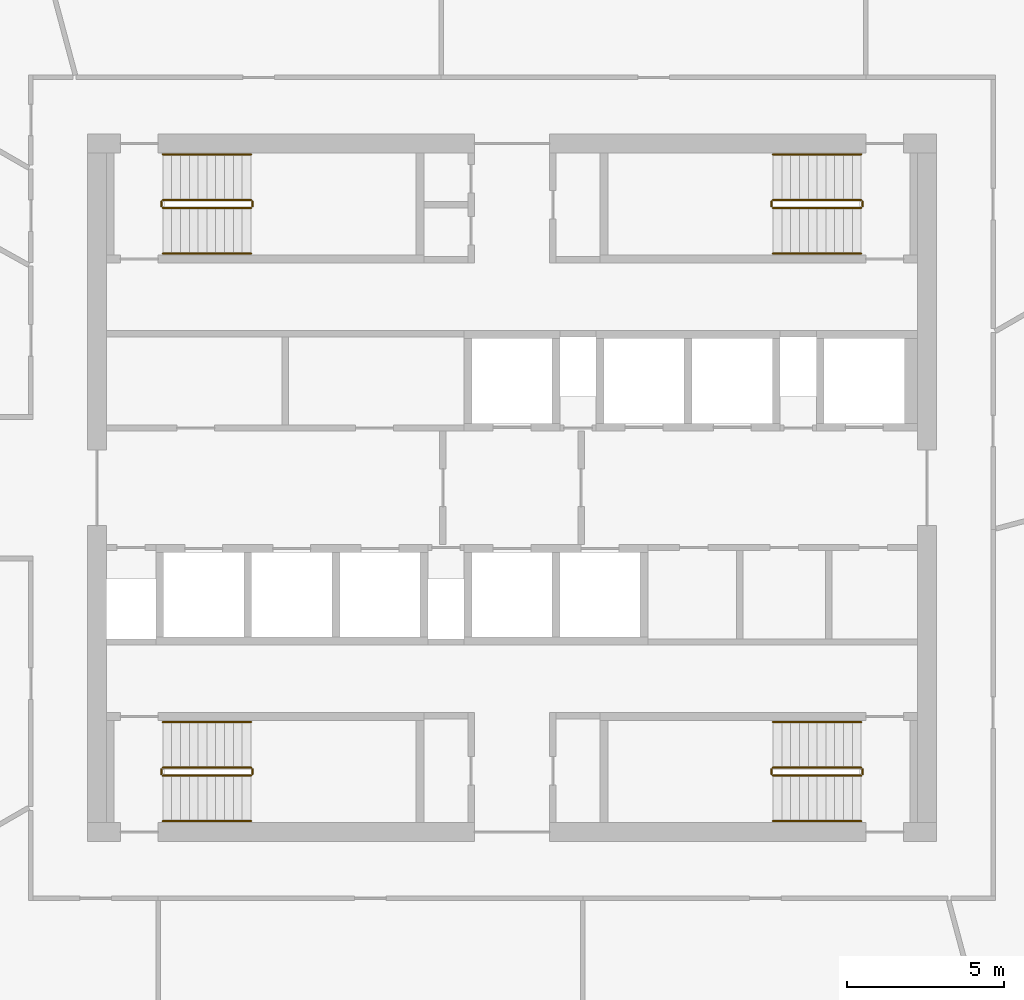
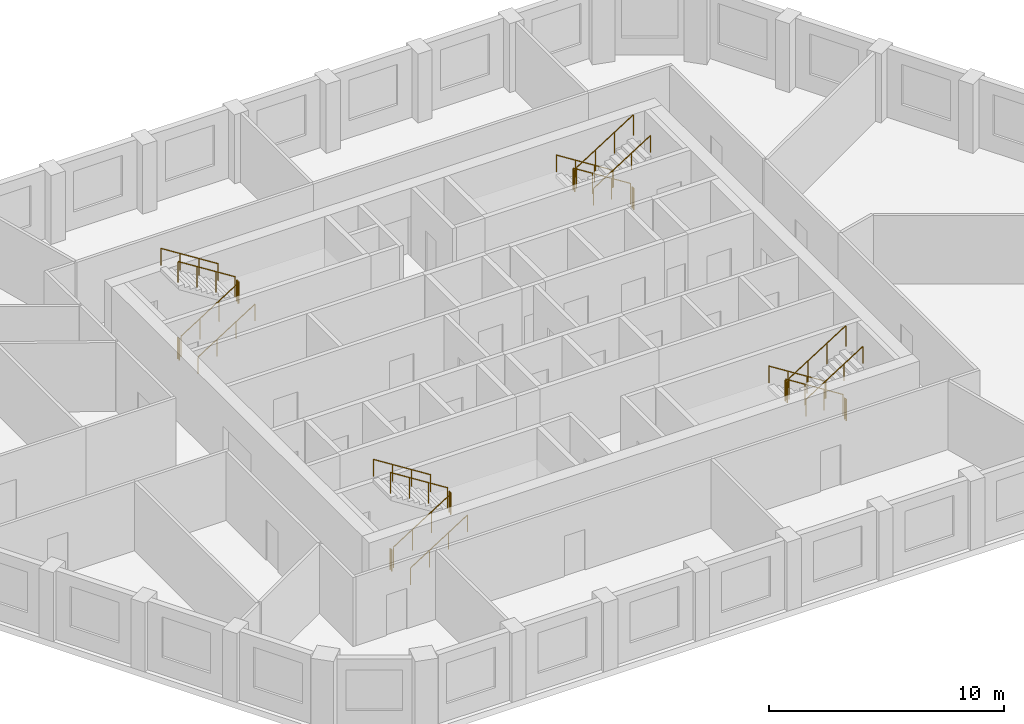
# One storey, part 7 of 7: 24 railings.
"""IFC4 building model written with IfcOpenShell, lengths in metres."""

from ifc_helpers import new_model, si_unit, direction, frame, origin, origin_2d, place, context, subcontext, project, spatial, circle, extrude, material, type_object, element, save


model = new_model("IFC4")

# Units and contexts
model_context = context("Model", 3, precision=1e-05, world=origin(), true_north=direction((0.0, 1.0)))
body_context = subcontext(model_context, "Body", "Model", "MODEL_VIEW")
ifc_project = project(units=[si_unit("LENGTHUNIT", "METRE"), si_unit("AREAUNIT", "SQUARE_METRE"), si_unit("VOLUMEUNIT", "CUBIC_METRE"), si_unit("PLANEANGLEUNIT", "RADIAN"), si_unit("MASSUNIT", "GRAM", prefix="KILO")], contexts=[model_context])

# Site, building, storey
site_placement = place(None, origin())
site = spatial("IfcSite", under=ifc_project, at=site_placement, CompositionType="ELEMENT")
building_placement = place(site_placement, origin())
building = spatial("IfcBuilding", under=site, at=building_placement, Name="Dhurran Vertical Campus", CompositionType="ELEMENT")
storey_placement = place(building_placement, frame((0.0, 0.0, 262.5)))
storey = spatial("IfcBuildingStorey", under=building, at=storey_placement, Name="L65", CompositionType="ELEMENT", Elevation=262.5)

# Railings
ifc_material_1 = material(Name="Stainless steel balustrade", Category="steel")
railing_type_1 = type_object("IfcRailingType", Name="co-RL-GUARD-1100", PredefinedType="GUARDRAIL", material=ifc_material_1)
railing_1_placement = place(storey_placement, frame((-11.10009765625, 8.89990234375, 0.17724609375)))
element("IfcRailing", 1, at=railing_1_placement, inside=storey, type_object=railing_type_1, Name="L65 ST1 stair guard 1", PredefinedType="GUARDRAIL", context=body_context, shape_type="SweptSolid", body=[
    extrude(circle(Radius=0.02392578125, at=origin_2d()), frame((0.0, 0.0, 1.076171875), z_axis=(0.844908973607, 0.0, 0.534910110503), x_axis=(0.0, 1.0, 0.0)), (0.0, 0.0, 1.0), 3.31396484375),
    extrude(circle(Radius=0.02099609375, at=origin_2d()), origin(), (0.0, 0.0, 1.0), 1.052001953125),
    extrude(circle(Radius=0.02099609375, at=origin_2d()), frame((0.933349609375, 0.0, 0.5908203125)), (0.0, 0.0, 1.0), 1.052001953125),
    extrude(circle(Radius=0.02099609375, at=origin_2d()), frame((1.86669921875, 0.0, 1.181884765625)), (0.0, 0.0, 1.0), 1.052001953125),
    extrude(circle(Radius=0.02099609375, at=origin_2d()), frame((2.800048828125, 0.0, 1.772705078125)), (0.0, 0.0, 1.0), 1.052001953125),
])
railing_2_placement = place(storey_placement, frame((-8.25, 8.949951171875, 1.949951171875)))
element("IfcRailing", 2, at=railing_2_placement, inside=storey, type_object=railing_type_1, Name="L65 ST1 stair guard 2", PredefinedType="GUARDRAIL", context=body_context, shape_type="SweptSolid", body=[
    extrude(circle(Radius=0.02392578125, at=origin_2d()), frame((0.0, 0.0, 1.076171875), z_axis=(0.0, 1.0, 0.0), x_axis=(-1.0, 0.0, 0.0)), (0.0, 0.0, 1.0), 0.150146484375),
    extrude(circle(Radius=0.02099609375, at=origin_2d()), origin(), (0.0, 0.0, 1.0), 1.052001953125),
    extrude(circle(Radius=0.02099609375, at=origin_2d()), frame((0.0, 0.150146484375, 0.0)), (0.0, 0.0, 1.0), 1.052001953125),
])
railing_3_placement = place(storey_placement, frame((-8.300048828125, 9.14990234375, 2.127197265625)))
element("IfcRailing", 3, at=railing_3_placement, inside=storey, type_object=railing_type_1, Name="L65 ST1 stair guard 3", PredefinedType="GUARDRAIL", context=body_context, shape_type="SweptSolid", body=[
    extrude(circle(Radius=0.02392578125, at=origin_2d()), frame((0.0, 0.0, 1.076171875), z_axis=(-0.844908973607, 0.0, 0.534910110503), x_axis=(0.0, -1.0, 0.0)), (0.0, 0.0, 1.0), 3.31396484375),
    extrude(circle(Radius=0.02099609375, at=origin_2d()), origin(), (0.0, 0.0, 1.0), 1.052001953125),
    extrude(circle(Radius=0.02099609375, at=origin_2d()), frame((-0.933349609375, 0.0, 0.5908203125)), (0.0, 0.0, 1.0), 1.052001953125),
    extrude(circle(Radius=0.02099609375, at=origin_2d()), frame((-1.86669921875, 0.0, 1.181884765625)), (0.0, 0.0, 1.0), 1.052001953125),
    extrude(circle(Radius=0.02099609375, at=origin_2d()), frame((-2.800048828125, 0.0, 1.772705078125)), (0.0, 0.0, 1.0), 1.052001953125),
])
railing_4_placement = place(storey_placement, frame((-11.14990234375, 8.949951171875, 0.0)))
element("IfcRailing", 4, at=railing_4_placement, inside=storey, type_object=railing_type_1, Name="L65 ST1 stair guard 4", PredefinedType="GUARDRAIL", context=body_context, shape_type="SweptSolid", body=[
    extrude(circle(Radius=0.02392578125, at=origin_2d()), frame((0.0, 0.0, 1.076171875), z_axis=(0.0, 1.0, 0.0), x_axis=(-1.0, 0.0, 0.0)), (0.0, 0.0, 1.0), 0.150146484375),
    extrude(circle(Radius=0.02099609375, at=origin_2d()), origin(), (0.0, 0.0, 1.0), 1.052001953125),
    extrude(circle(Radius=0.02099609375, at=origin_2d()), frame((0.0, 0.150146484375, 0.0)), (0.0, 0.0, 1.0), 1.052001953125),
])
railing_5_placement = place(storey_placement, frame((11.10009765625, 9.14990234375, 0.17724609375)))
element("IfcRailing", 5, at=railing_5_placement, inside=storey, type_object=railing_type_1, Name="L65 ST2 stair guard 1", PredefinedType="GUARDRAIL", context=body_context, shape_type="SweptSolid", body=[
    extrude(circle(Radius=0.02392578125, at=origin_2d()), frame((0.0, 0.0, 1.076171875), z_axis=(-0.844908973607, 0.0, 0.534910110503), x_axis=(0.0, -1.0, 0.0)), (0.0, 0.0, 1.0), 3.31396484375),
    extrude(circle(Radius=0.02099609375, at=origin_2d()), origin(), (0.0, 0.0, 1.0), 1.052001953125),
    extrude(circle(Radius=0.02099609375, at=origin_2d()), frame((-0.933349609375, 0.0, 0.5908203125)), (0.0, 0.0, 1.0), 1.052001953125),
    extrude(circle(Radius=0.02099609375, at=origin_2d()), frame((-1.86669921875, 0.0, 1.181884765625)), (0.0, 0.0, 1.0), 1.052001953125),
    extrude(circle(Radius=0.02099609375, at=origin_2d()), frame((-2.800048828125, 0.0, 1.772705078125)), (0.0, 0.0, 1.0), 1.052001953125),
])
railing_6_placement = place(storey_placement, frame((8.25, 9.10009765625, 1.949951171875)))
element("IfcRailing", 6, at=railing_6_placement, inside=storey, type_object=railing_type_1, Name="L65 ST2 stair guard 2", PredefinedType="GUARDRAIL", context=body_context, shape_type="SweptSolid", body=[
    extrude(circle(Radius=0.02392578125, at=origin_2d()), frame((0.0, 0.0, 1.076171875), z_axis=(0.0, -1.0, 0.0), x_axis=(1.0, 0.0, 0.0)), (0.0, 0.0, 1.0), 0.150146484375),
    extrude(circle(Radius=0.02099609375, at=origin_2d()), origin(), (0.0, 0.0, 1.0), 1.052001953125),
    extrude(circle(Radius=0.02099609375, at=origin_2d()), frame((0.0, -0.150146484375, 0.0)), (0.0, 0.0, 1.0), 1.052001953125),
])
railing_7_placement = place(storey_placement, frame((8.300048828125, 8.89990234375, 2.127197265625)))
element("IfcRailing", 7, at=railing_7_placement, inside=storey, type_object=railing_type_1, Name="L65 ST2 stair guard 3", PredefinedType="GUARDRAIL", context=body_context, shape_type="SweptSolid", body=[
    extrude(circle(Radius=0.02392578125, at=origin_2d()), frame((0.0, 0.0, 1.076171875), z_axis=(0.844908973607, 0.0, 0.534910110503), x_axis=(0.0, 1.0, 0.0)), (0.0, 0.0, 1.0), 3.31396484375),
    extrude(circle(Radius=0.02099609375, at=origin_2d()), origin(), (0.0, 0.0, 1.0), 1.052001953125),
    extrude(circle(Radius=0.02099609375, at=origin_2d()), frame((0.933349609375, 0.0, 0.5908203125)), (0.0, 0.0, 1.0), 1.052001953125),
    extrude(circle(Radius=0.02099609375, at=origin_2d()), frame((1.86669921875, 0.0, 1.181884765625)), (0.0, 0.0, 1.0), 1.052001953125),
    extrude(circle(Radius=0.02099609375, at=origin_2d()), frame((2.800048828125, 0.0, 1.772705078125)), (0.0, 0.0, 1.0), 1.052001953125),
])
railing_8_placement = place(storey_placement, frame((11.14990234375, 9.10009765625, 0.0)))
element("IfcRailing", 8, at=railing_8_placement, inside=storey, type_object=railing_type_1, Name="L65 ST2 stair guard 4", PredefinedType="GUARDRAIL", context=body_context, shape_type="SweptSolid", body=[
    extrude(circle(Radius=0.02392578125, at=origin_2d()), frame((0.0, 0.0, 1.076171875), z_axis=(0.0, -1.0, 0.0), x_axis=(1.0, 0.0, 0.0)), (0.0, 0.0, 1.0), 0.150146484375),
    extrude(circle(Radius=0.02099609375, at=origin_2d()), origin(), (0.0, 0.0, 1.0), 1.052001953125),
    extrude(circle(Radius=0.02099609375, at=origin_2d()), frame((0.0, -0.150146484375, 0.0)), (0.0, 0.0, 1.0), 1.052001953125),
])
railing_9_placement = place(storey_placement, frame((-11.10009765625, -9.14990234375, 0.17724609375)))
element("IfcRailing", 9, at=railing_9_placement, inside=storey, type_object=railing_type_1, Name="L65 ST3 stair guard 1", PredefinedType="GUARDRAIL", context=body_context, shape_type="SweptSolid", body=[
    extrude(circle(Radius=0.02392578125, at=origin_2d()), frame((0.0, 0.0, 1.076171875), z_axis=(0.844908973607, 0.0, 0.534910110503), x_axis=(0.0, 1.0, 0.0)), (0.0, 0.0, 1.0), 3.31396484375),
    extrude(circle(Radius=0.02099609375, at=origin_2d()), origin(), (0.0, 0.0, 1.0), 1.052001953125),
    extrude(circle(Radius=0.02099609375, at=origin_2d()), frame((0.933349609375, 0.0, 0.5908203125)), (0.0, 0.0, 1.0), 1.052001953125),
    extrude(circle(Radius=0.02099609375, at=origin_2d()), frame((1.86669921875, 0.0, 1.181884765625)), (0.0, 0.0, 1.0), 1.052001953125),
    extrude(circle(Radius=0.02099609375, at=origin_2d()), frame((2.800048828125, 0.0, 1.772705078125)), (0.0, 0.0, 1.0), 1.052001953125),
])
railing_10_placement = place(storey_placement, frame((-8.25, -9.10009765625, 1.949951171875)))
element("IfcRailing", 10, at=railing_10_placement, inside=storey, type_object=railing_type_1, Name="L65 ST3 stair guard 2", PredefinedType="GUARDRAIL", context=body_context, shape_type="SweptSolid", body=[
    extrude(circle(Radius=0.02392578125, at=origin_2d()), frame((0.0, 0.0, 1.076171875), z_axis=(0.0, 1.0, 0.0), x_axis=(-1.0, 0.0, 0.0)), (0.0, 0.0, 1.0), 0.150146484375),
    extrude(circle(Radius=0.02099609375, at=origin_2d()), origin(), (0.0, 0.0, 1.0), 1.052001953125),
    extrude(circle(Radius=0.02099609375, at=origin_2d()), frame((0.0, 0.150146484375, 0.0)), (0.0, 0.0, 1.0), 1.052001953125),
])
railing_11_placement = place(storey_placement, frame((-8.300048828125, -8.89990234375, 2.127197265625)))
element("IfcRailing", 11, at=railing_11_placement, inside=storey, type_object=railing_type_1, Name="L65 ST3 stair guard 3", PredefinedType="GUARDRAIL", context=body_context, shape_type="SweptSolid", body=[
    extrude(circle(Radius=0.02392578125, at=origin_2d()), frame((0.0, 0.0, 1.076171875), z_axis=(-0.844908973607, 0.0, 0.534910110503), x_axis=(0.0, -1.0, 0.0)), (0.0, 0.0, 1.0), 3.31396484375),
    extrude(circle(Radius=0.02099609375, at=origin_2d()), origin(), (0.0, 0.0, 1.0), 1.052001953125),
    extrude(circle(Radius=0.02099609375, at=origin_2d()), frame((-0.933349609375, 0.0, 0.5908203125)), (0.0, 0.0, 1.0), 1.052001953125),
    extrude(circle(Radius=0.02099609375, at=origin_2d()), frame((-1.86669921875, 0.0, 1.181884765625)), (0.0, 0.0, 1.0), 1.052001953125),
    extrude(circle(Radius=0.02099609375, at=origin_2d()), frame((-2.800048828125, 0.0, 1.772705078125)), (0.0, 0.0, 1.0), 1.052001953125),
])
railing_12_placement = place(storey_placement, frame((-11.14990234375, -9.10009765625, 0.0)))
element("IfcRailing", 12, at=railing_12_placement, inside=storey, type_object=railing_type_1, Name="L65 ST3 stair guard 4", PredefinedType="GUARDRAIL", context=body_context, shape_type="SweptSolid", body=[
    extrude(circle(Radius=0.02392578125, at=origin_2d()), frame((0.0, 0.0, 1.076171875), z_axis=(0.0, 1.0, 0.0), x_axis=(-1.0, 0.0, 0.0)), (0.0, 0.0, 1.0), 0.150146484375),
    extrude(circle(Radius=0.02099609375, at=origin_2d()), origin(), (0.0, 0.0, 1.0), 1.052001953125),
    extrude(circle(Radius=0.02099609375, at=origin_2d()), frame((0.0, 0.150146484375, 0.0)), (0.0, 0.0, 1.0), 1.052001953125),
])
railing_13_placement = place(storey_placement, frame((11.10009765625, -8.89990234375, 0.17724609375)))
element("IfcRailing", 13, at=railing_13_placement, inside=storey, type_object=railing_type_1, Name="L65 ST4 stair guard 1", PredefinedType="GUARDRAIL", context=body_context, shape_type="SweptSolid", body=[
    extrude(circle(Radius=0.02392578125, at=origin_2d()), frame((0.0, 0.0, 1.076171875), z_axis=(-0.844908973607, 0.0, 0.534910110503), x_axis=(0.0, -1.0, 0.0)), (0.0, 0.0, 1.0), 3.31396484375),
    extrude(circle(Radius=0.02099609375, at=origin_2d()), origin(), (0.0, 0.0, 1.0), 1.052001953125),
    extrude(circle(Radius=0.02099609375, at=origin_2d()), frame((-0.933349609375, 0.0, 0.5908203125)), (0.0, 0.0, 1.0), 1.052001953125),
    extrude(circle(Radius=0.02099609375, at=origin_2d()), frame((-1.86669921875, 0.0, 1.181884765625)), (0.0, 0.0, 1.0), 1.052001953125),
    extrude(circle(Radius=0.02099609375, at=origin_2d()), frame((-2.800048828125, 0.0, 1.772705078125)), (0.0, 0.0, 1.0), 1.052001953125),
])
railing_14_placement = place(storey_placement, frame((8.25, -8.949951171875, 1.949951171875)))
element("IfcRailing", 14, at=railing_14_placement, inside=storey, type_object=railing_type_1, Name="L65 ST4 stair guard 2", PredefinedType="GUARDRAIL", context=body_context, shape_type="SweptSolid", body=[
    extrude(circle(Radius=0.02392578125, at=origin_2d()), frame((0.0, 0.0, 1.076171875), z_axis=(0.0, -1.0, 0.0), x_axis=(1.0, 0.0, 0.0)), (0.0, 0.0, 1.0), 0.150146484375),
    extrude(circle(Radius=0.02099609375, at=origin_2d()), origin(), (0.0, 0.0, 1.0), 1.052001953125),
    extrude(circle(Radius=0.02099609375, at=origin_2d()), frame((0.0, -0.150146484375, 0.0)), (0.0, 0.0, 1.0), 1.052001953125),
])
railing_15_placement = place(storey_placement, frame((8.300048828125, -9.14990234375, 2.127197265625)))
element("IfcRailing", 15, at=railing_15_placement, inside=storey, type_object=railing_type_1, Name="L65 ST4 stair guard 3", PredefinedType="GUARDRAIL", context=body_context, shape_type="SweptSolid", body=[
    extrude(circle(Radius=0.02392578125, at=origin_2d()), frame((0.0, 0.0, 1.076171875), z_axis=(0.844908973607, 0.0, 0.534910110503), x_axis=(0.0, 1.0, 0.0)), (0.0, 0.0, 1.0), 3.31396484375),
    extrude(circle(Radius=0.02099609375, at=origin_2d()), origin(), (0.0, 0.0, 1.0), 1.052001953125),
    extrude(circle(Radius=0.02099609375, at=origin_2d()), frame((0.933349609375, 0.0, 0.5908203125)), (0.0, 0.0, 1.0), 1.052001953125),
    extrude(circle(Radius=0.02099609375, at=origin_2d()), frame((1.86669921875, 0.0, 1.181884765625)), (0.0, 0.0, 1.0), 1.052001953125),
    extrude(circle(Radius=0.02099609375, at=origin_2d()), frame((2.800048828125, 0.0, 1.772705078125)), (0.0, 0.0, 1.0), 1.052001953125),
])
railing_16_placement = place(storey_placement, frame((11.14990234375, -8.949951171875, 0.0)))
element("IfcRailing", 16, at=railing_16_placement, inside=storey, type_object=railing_type_1, Name="L65 ST4 stair guard 4", PredefinedType="GUARDRAIL", context=body_context, shape_type="SweptSolid", body=[
    extrude(circle(Radius=0.02392578125, at=origin_2d()), frame((0.0, 0.0, 1.076171875), z_axis=(0.0, -1.0, 0.0), x_axis=(1.0, 0.0, 0.0)), (0.0, 0.0, 1.0), 0.150146484375),
    extrude(circle(Radius=0.02099609375, at=origin_2d()), origin(), (0.0, 0.0, 1.0), 1.052001953125),
    extrude(circle(Radius=0.02099609375, at=origin_2d()), frame((0.0, -0.150146484375, 0.0)), (0.0, 0.0, 1.0), 1.052001953125),
])
ifc_material_2 = material(Name="Stainless steel handrail", Category="steel")
railing_type_2 = type_object("IfcRailingType", Name="co-RL-HANDRAIL-900", PredefinedType="HANDRAIL", material=ifc_material_2)
railing_17_placement = place(storey_placement, frame((-11.10009765625, 7.449951171875, 0.17724609375)))
element("IfcRailing", 17, at=railing_17_placement, inside=storey, type_object=railing_type_2, Name="L65 ST1 stair handrail 1", PredefinedType="HANDRAIL", context=body_context, shape_type="SweptSolid", body=[
    extrude(circle(Radius=0.02392578125, at=origin_2d()), frame((0.0, 0.0, 0.8759765625), z_axis=(0.844908973607, 0.0, 0.534910110503), x_axis=(0.0, 1.0, 0.0)), (0.0, 0.0, 1.0), 3.31396484375),
    extrude(circle(Radius=0.02099609375, at=origin_2d()), origin(), (0.0, 0.0, 1.0), 0.851806640625),
    extrude(circle(Radius=0.02099609375, at=origin_2d()), frame((0.933349609375, 0.0, 0.5908203125)), (0.0, 0.0, 1.0), 0.851806640625),
    extrude(circle(Radius=0.02099609375, at=origin_2d()), frame((1.86669921875, 0.0, 1.181884765625)), (0.0, 0.0, 1.0), 0.851806640625),
    extrude(circle(Radius=0.02099609375, at=origin_2d()), frame((2.800048828125, 0.0, 1.772705078125)), (0.0, 0.0, 1.0), 0.851806640625),
])
for number, where, name in (
    (18, (-8.300048828125, 10.60009765625, 2.127197265625), "L65 ST1 stair handrail 2"),
    (19, (11.10009765625, 10.60009765625, 0.17724609375), "L65 ST2 stair handrail 1"),
):
    element("IfcRailing", number, at=place(storey_placement, frame(where)), inside=storey, type_object=railing_type_2, Name=name, PredefinedType="HANDRAIL", context=body_context, shape_type="SweptSolid", body=[
        extrude(circle(Radius=0.02392578125, at=origin_2d()), frame((0.0, 0.0, 0.8759765625), z_axis=(-0.844908973607, 0.0, 0.534910110503), x_axis=(0.0, -1.0, 0.0)), (0.0, 0.0, 1.0), 3.31396484375),
        extrude(circle(Radius=0.02099609375, at=origin_2d()), origin(), (0.0, 0.0, 1.0), 0.851806640625),
        extrude(circle(Radius=0.02099609375, at=origin_2d()), frame((-0.933349609375, 0.0, 0.5908203125)), (0.0, 0.0, 1.0), 0.851806640625),
        extrude(circle(Radius=0.02099609375, at=origin_2d()), frame((-1.86669921875, 0.0, 1.181884765625)), (0.0, 0.0, 1.0), 0.851806640625),
        extrude(circle(Radius=0.02099609375, at=origin_2d()), frame((-2.800048828125, 0.0, 1.772705078125)), (0.0, 0.0, 1.0), 0.851806640625),
    ])
for number, where, name in (
    (20, (8.300048828125, 7.449951171875, 2.127197265625), "L65 ST2 stair handrail 2"),
    (21, (-11.10009765625, -10.60009765625, 0.17724609375), "L65 ST3 stair handrail 1"),
):
    element("IfcRailing", number, at=place(storey_placement, frame(where)), inside=storey, type_object=railing_type_2, Name=name, PredefinedType="HANDRAIL", context=body_context, shape_type="SweptSolid", body=[
        extrude(circle(Radius=0.02392578125, at=origin_2d()), frame((0.0, 0.0, 0.8759765625), z_axis=(0.844908973607, 0.0, 0.534910110503), x_axis=(0.0, 1.0, 0.0)), (0.0, 0.0, 1.0), 3.31396484375),
        extrude(circle(Radius=0.02099609375, at=origin_2d()), origin(), (0.0, 0.0, 1.0), 0.851806640625),
        extrude(circle(Radius=0.02099609375, at=origin_2d()), frame((0.933349609375, 0.0, 0.5908203125)), (0.0, 0.0, 1.0), 0.851806640625),
        extrude(circle(Radius=0.02099609375, at=origin_2d()), frame((1.86669921875, 0.0, 1.181884765625)), (0.0, 0.0, 1.0), 0.851806640625),
        extrude(circle(Radius=0.02099609375, at=origin_2d()), frame((2.800048828125, 0.0, 1.772705078125)), (0.0, 0.0, 1.0), 0.851806640625),
    ])
for number, where, name in (
    (22, (-8.300048828125, -7.449951171875, 2.127197265625), "L65 ST3 stair handrail 2"),
    (23, (11.10009765625, -7.449951171875, 0.17724609375), "L65 ST4 stair handrail 1"),
):
    element("IfcRailing", number, at=place(storey_placement, frame(where)), inside=storey, type_object=railing_type_2, Name=name, PredefinedType="HANDRAIL", context=body_context, shape_type="SweptSolid", body=[
        extrude(circle(Radius=0.02392578125, at=origin_2d()), frame((0.0, 0.0, 0.8759765625), z_axis=(-0.844908973607, 0.0, 0.534910110503), x_axis=(0.0, -1.0, 0.0)), (0.0, 0.0, 1.0), 3.31396484375),
        extrude(circle(Radius=0.02099609375, at=origin_2d()), origin(), (0.0, 0.0, 1.0), 0.851806640625),
        extrude(circle(Radius=0.02099609375, at=origin_2d()), frame((-0.933349609375, 0.0, 0.5908203125)), (0.0, 0.0, 1.0), 0.851806640625),
        extrude(circle(Radius=0.02099609375, at=origin_2d()), frame((-1.86669921875, 0.0, 1.181884765625)), (0.0, 0.0, 1.0), 0.851806640625),
        extrude(circle(Radius=0.02099609375, at=origin_2d()), frame((-2.800048828125, 0.0, 1.772705078125)), (0.0, 0.0, 1.0), 0.851806640625),
    ])
railing_18_placement = place(storey_placement, frame((8.300048828125, -10.60009765625, 2.127197265625)))
element("IfcRailing", 24, at=railing_18_placement, inside=storey, type_object=railing_type_2, Name="L65 ST4 stair handrail 2", PredefinedType="HANDRAIL", context=body_context, shape_type="SweptSolid", body=[
    extrude(circle(Radius=0.02392578125, at=origin_2d()), frame((0.0, 0.0, 0.8759765625), z_axis=(0.844908973607, 0.0, 0.534910110503), x_axis=(0.0, 1.0, 0.0)), (0.0, 0.0, 1.0), 3.31396484375),
    extrude(circle(Radius=0.02099609375, at=origin_2d()), origin(), (0.0, 0.0, 1.0), 0.851806640625),
    extrude(circle(Radius=0.02099609375, at=origin_2d()), frame((0.933349609375, 0.0, 0.5908203125)), (0.0, 0.0, 1.0), 0.851806640625),
    extrude(circle(Radius=0.02099609375, at=origin_2d()), frame((1.86669921875, 0.0, 1.181884765625)), (0.0, 0.0, 1.0), 0.851806640625),
    extrude(circle(Radius=0.02099609375, at=origin_2d()), frame((2.800048828125, 0.0, 1.772705078125)), (0.0, 0.0, 1.0), 0.851806640625),
])

save(model, "model.ifc")
